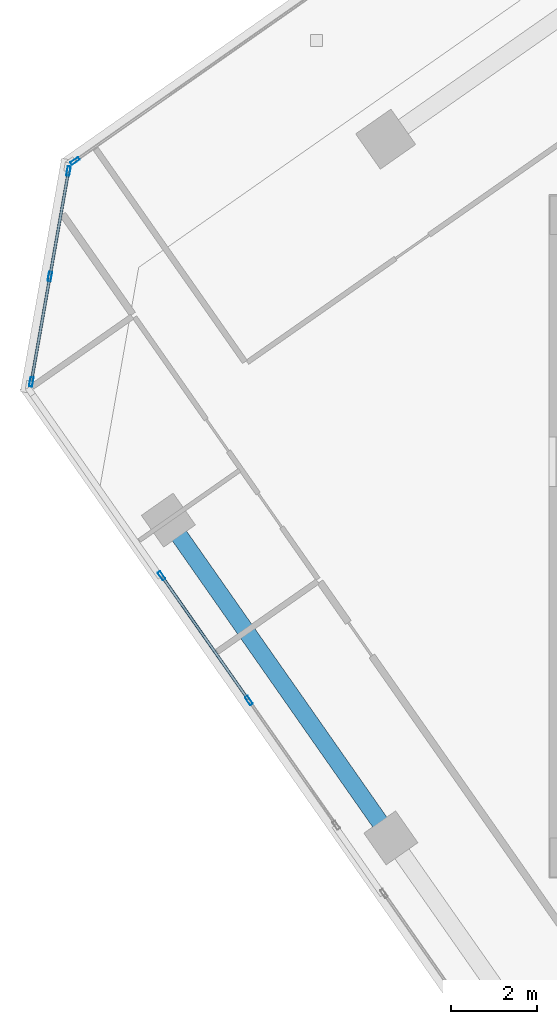
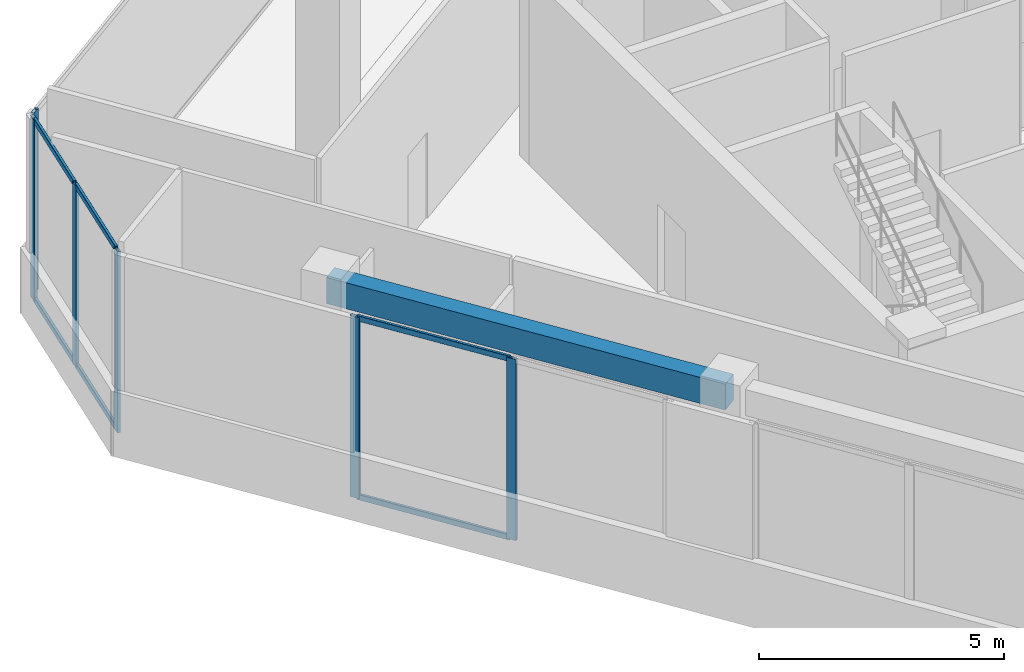
# One storey, part 4 of 16: 12 members, 1 beam, 3 elements without a shape of their own.
"""IFC4 building model written with IfcOpenShell, lengths in metres."""

from ifc_helpers import new_model, si_unit, direction, frame, origin, origin_2d, place, context, subcontext, project, spatial, rectangle, hollow_rectangle, extrude, source, transform, mapped, material, material_profile, profile_set, type_object, element, aggregate, save


model = new_model("IFC4")

# Units and contexts
model_context = context("Model", 3, precision=1e-05, world=origin(), true_north=direction((0.0, 1.0)))
body_context = subcontext(model_context, "Body", "Model", "MODEL_VIEW")
ifc_project = project(units=[si_unit("LENGTHUNIT", "METRE"), si_unit("AREAUNIT", "SQUARE_METRE"), si_unit("VOLUMEUNIT", "CUBIC_METRE"), si_unit("PLANEANGLEUNIT", "RADIAN"), si_unit("MASSUNIT", "GRAM", prefix="KILO")], contexts=[model_context])

# Site, building, storey
site_placement = place(None, origin())
site = spatial("IfcSite", under=ifc_project, at=site_placement, CompositionType="ELEMENT")
building_placement = place(site_placement, origin())
building = spatial("IfcBuilding", under=site, at=building_placement, Name="Torre Montelarca", CompositionType="ELEMENT")
storey_placement = place(building_placement, frame((0.0, 0.0, 293.800048828125)))
storey = spatial("IfcBuildingStorey", under=building, at=storey_placement, Name="L66", CompositionType="ELEMENT", Elevation=293.800048828125)

# Beam
ifc_material_1 = material(Name="Concrete C40/50", Category="concrete")
ifc_material_profile_1 = material_profile(ifc_material_1, rectangle(XDim=0.39990234375, YDim=0.64990234375, at=origin_2d()), Name="RCB400X650", Category="concrete")
ifc_profile_set_1 = profile_set([ifc_material_profile_1], Name="Concrete C40/50")
beam_type = type_object("IfcBeamType", Name="BM-SP-RC650-EXT", PredefinedType="SPANDREL", material=ifc_profile_set_1)
shared_shape_1 = source(origin(), body_context, "Body", "SweptSolid", [
    extrude(rectangle(XDim=0.39990234375, YDim=0.64990234375, at=origin_2d()), origin(), (0.0, 0.0, 1.0), 9.0),
])
beam_placement = place(storey_placement, frame((0.240966796875, 32.373779296875, 4.43505859375), z_axis=(0.573573395961, -0.819154173185, 0.0), x_axis=(0.819154173185, 0.573573395961, 0.0)))
element("IfcBeam", 1, at=beam_placement, inside=storey, type_object=beam_type, Name="L66 Grid Girder X 9.0-18.0 at Y=14.8", PredefinedType="SPANDREL", context=body_context, shape_type="MappedRepresentation", body=[
    mapped(shared_shape_1, transform((0.0, 0.0, 0.0), scale=1.0)),
])

# Curtain wall, members
ifc_material_2 = material(Name="Insulated low-E laminated glass", Category="glass")
curtain_wall_type = type_object("IfcCurtainWallType", Name="CW-SYS-Z4", PredefinedType="USERDEFINED", material=ifc_material_2)
curtain_wall_1_placement = place(storey_placement, origin())
curtain_wall_1 = element("IfcCurtainWall", 2, at=curtain_wall_1_placement, inside=storey, type_object=curtain_wall_type, Name="L66 Curtain Wall Run CW-T3-L66-E01-B1", ObjectType="UNITISED GLAZING", PredefinedType="USERDEFINED")
ifc_material_3 = material(Name="Anodised aluminium AA 6063-T6", Category="aluminium")
ifc_material_profile_2 = material_profile(ifc_material_3, hollow_rectangle(XDim=0.074951171875, YDim=0.219970703125, WallThickness=0.0048828125, InnerFilletRadius=0.0048828125, OuterFilletRadius=0.010009765625, at=origin_2d()), Name="ALU75X220X5", Category="aluminium")
ifc_profile_set_2 = profile_set([ifc_material_profile_2], Name="Anodised aluminium AA 6063-T6")
member_type_1 = type_object("IfcMemberType", Name="CWM-ALU220", PredefinedType="MULLION", material=ifc_profile_set_2)
shared_shape_2 = source(origin(), body_context, "Body", "SweptSolid", [
    extrude(hollow_rectangle(XDim=0.074951171875, YDim=0.219970703125, WallThickness=0.0048828125, InnerFilletRadius=0.0048828125, OuterFilletRadius=0.010009765625, at=origin_2d()), origin(), (0.0, 0.0, 1.0), 4.52001953125),
])
member_1_placement = place(storey_placement, frame((0.083251953125, 31.082275390625, 0.0), z_axis=(0.0, 0.0, 1.0), x_axis=(0.819156903891, 0.573569496058, 0.0)))
member_1 = element("IfcMember", 3, at=member_1_placement, type_object=member_type_1, Name="CW mullion 1", PredefinedType="MULLION", context=body_context, shape_type="MappedRepresentation", body=[
    mapped(shared_shape_2, transform((0.0, 0.0, 0.0), scale=1.0)),
])
member_2_placement = place(storey_placement, frame((2.109375, 28.188720703125, 0.0), z_axis=(0.0, 0.0, 1.0), x_axis=(0.819156903891, 0.573569496058, 0.0)))
member_2 = element("IfcMember", 4, at=member_2_placement, type_object=member_type_1, Name="CW mullion 2", PredefinedType="MULLION", context=body_context, shape_type="MappedRepresentation", body=[
    mapped(shared_shape_2, transform((0.0, 0.0, 0.0), scale=1.0)),
])

# Curtain wall, member
curtain_wall_2_placement = place(storey_placement, origin())
curtain_wall_2 = element("IfcCurtainWall", 5, at=curtain_wall_2_placement, inside=storey, type_object=curtain_wall_type, Name="L66 Curtain Wall Run CW-T3-L66-E10-B1", ObjectType="UNITISED GLAZING", PredefinedType="USERDEFINED")
member_3_placement = place(storey_placement, frame((-1.927734375, 40.70703125, 0.0), z_axis=(0.0, 0.0, 1.0), x_axis=(0.57357162512, -0.819155413128, 0.0)))
member_3 = element("IfcMember", 6, at=member_3_placement, type_object=member_type_1, Name="CW mullion 3", PredefinedType="MULLION", context=body_context, shape_type="MappedRepresentation", body=[
    mapped(shared_shape_2, transform((0.0, 0.0, 0.0), scale=1.0)),
])
aggregate(curtain_wall_2, [member_3])

# Curtain wall, members
curtain_wall_3_placement = place(storey_placement, origin())
curtain_wall_3 = element("IfcCurtainWall", 7, at=curtain_wall_3_placement, inside=storey, type_object=curtain_wall_type, Name="L66 Curtain Wall Run CW-T3-L66-E11-B1", ObjectType="UNITISED GLAZING", PredefinedType="USERDEFINED")
member_4_placement = place(storey_placement, frame((-2.076171875, 40.47412109375, 0.0), z_axis=(0.0, 0.0, 1.0), x_axis=(0.984810101776, -0.173634856638, 0.0)))
member_4 = element("IfcMember", 8, at=member_4_placement, type_object=member_type_1, Name="CW mullion 1", PredefinedType="MULLION", context=body_context, shape_type="MappedRepresentation", body=[
    mapped(shared_shape_2, transform((0.0, 0.0, 0.0), scale=1.0)),
])
member_5_placement = place(storey_placement, frame((-2.50732421875, 38.0283203125, 0.0), z_axis=(0.0, 0.0, 1.0), x_axis=(0.984810101776, -0.173634856638, 0.0)))
member_5 = element("IfcMember", 9, at=member_5_placement, type_object=member_type_1, Name="CW mullion 2", PredefinedType="MULLION", context=body_context, shape_type="MappedRepresentation", body=[
    mapped(shared_shape_2, transform((0.0, 0.0, 0.0), scale=1.0)),
])
member_6_placement = place(storey_placement, frame((-2.9384765625, 35.582275390625, 0.0), z_axis=(0.0, 0.0, 1.0), x_axis=(0.984810101776, -0.173634856638, 0.0)))
member_6 = element("IfcMember", 10, at=member_6_placement, type_object=member_type_1, Name="CW mullion 3", PredefinedType="MULLION", context=body_context, shape_type="MappedRepresentation", body=[
    mapped(shared_shape_2, transform((0.0, 0.0, 0.0), scale=1.0)),
])

# Member
ifc_material_profile_3 = material_profile(ifc_material_3, hollow_rectangle(XDim=0.06494140625, YDim=0.139892578125, WallThickness=0.00390625, InnerFilletRadius=0.00390625, OuterFilletRadius=0.008056640625, at=origin_2d()), Name="ALU65X140X4", Category="aluminium")
ifc_profile_set_3 = profile_set([ifc_material_profile_3], Name="Anodised aluminium AA 6063-T6")
member_type_2 = type_object("IfcMemberType", Name="CWT-ALU140", PredefinedType="USERDEFINED", material=ifc_profile_set_3)
shared_shape_3 = source(origin(), body_context, "Body", "SweptSolid", [
    extrude(hollow_rectangle(XDim=0.06494140625, YDim=0.139892578125, WallThickness=0.00390625, InnerFilletRadius=0.00390625, OuterFilletRadius=0.008056640625, at=origin_2d()), origin(), (0.0, 0.0, 1.0), 3.45751953125),
])
member_7_placement = place(storey_placement, frame((0.104736328125, 31.0517578125, 0.032470703125), z_axis=(0.573571335788, -0.819155615718, 0.0), x_axis=(0.819155615718, 0.573571335788, 0.0)))
member_7 = element("IfcMember", 11, at=member_7_placement, type_object=member_type_2, Name="CW transom 1.1", ObjectType="TRANSOM", PredefinedType="USERDEFINED", context=body_context, shape_type="MappedRepresentation", body=[
    mapped(shared_shape_3, transform((0.0, 0.0, 0.0), scale=1.0)),
])

member_8_placement = place(storey_placement, frame((0.104736328125, 31.0517578125, 4.487548828125), z_axis=(0.573571335788, -0.819155615718, 0.0), x_axis=(0.819155615718, 0.573571335788, 0.0)))
member_8 = element("IfcMember", 12, at=member_8_placement, type_object=member_type_2, Name="CW transom 1.2", ObjectType="TRANSOM", PredefinedType="USERDEFINED", context=body_context, shape_type="MappedRepresentation", body=[
    mapped(shared_shape_3, transform((0.0, 0.0, 0.0), scale=1.0)),
])

aggregate(curtain_wall_1, [member_1, member_2, member_7, member_8])

shared_shape_4 = source(origin(), body_context, "Body", "SweptSolid", [
    extrude(hollow_rectangle(XDim=0.06494140625, YDim=0.139892578125, WallThickness=0.00390625, InnerFilletRadius=0.00390625, OuterFilletRadius=0.008056640625, at=origin_2d()), origin(), (0.0, 0.0, 1.0), 2.40869140625),
])
member_9_placement = place(storey_placement, frame((-2.08251953125, 40.437255859375, 0.032470703125), z_axis=(-0.173629210537, -0.984811097241, 0.0), x_axis=(0.984811097241, -0.173629210537, 0.0)))
member_9 = element("IfcMember", 13, at=member_9_placement, type_object=member_type_2, Name="CW transom 1.1", ObjectType="TRANSOM", PredefinedType="USERDEFINED", context=body_context, shape_type="MappedRepresentation", body=[
    mapped(shared_shape_4, transform((0.0, 0.0, 0.0), scale=1.0)),
])

member_10_placement = place(storey_placement, frame((-2.08251953125, 40.437255859375, 4.487548828125), z_axis=(-0.173629210537, -0.984811097241, 0.0), x_axis=(0.984811097241, -0.173629210537, 0.0)))
member_10 = element("IfcMember", 14, at=member_10_placement, type_object=member_type_2, Name="CW transom 1.2", ObjectType="TRANSOM", PredefinedType="USERDEFINED", context=body_context, shape_type="MappedRepresentation", body=[
    mapped(shared_shape_4, transform((0.0, 0.0, 0.0), scale=1.0)),
])

member_11_placement = place(storey_placement, frame((-2.513916015625, 37.9912109375, 0.032470703125), z_axis=(-0.173629210537, -0.984811097241, 0.0), x_axis=(0.984811097241, -0.173629210537, 0.0)))
member_11 = element("IfcMember", 15, at=member_11_placement, type_object=member_type_2, Name="CW transom 2.1", ObjectType="TRANSOM", PredefinedType="USERDEFINED", context=body_context, shape_type="MappedRepresentation", body=[
    mapped(shared_shape_4, transform((0.0, 0.0, 0.0), scale=1.0)),
])

member_12_placement = place(storey_placement, frame((-2.513916015625, 37.9912109375, 4.487548828125), z_axis=(-0.173629210537, -0.984811097241, 0.0), x_axis=(0.984811097241, -0.173629210537, 0.0)))
member_12 = element("IfcMember", 16, at=member_12_placement, type_object=member_type_2, Name="CW transom 2.2", ObjectType="TRANSOM", PredefinedType="USERDEFINED", context=body_context, shape_type="MappedRepresentation", body=[
    mapped(shared_shape_4, transform((0.0, 0.0, 0.0), scale=1.0)),
])

aggregate(curtain_wall_3, [member_4, member_5, member_6, member_9, member_10, member_11, member_12])

save(model, "model.ifc")
